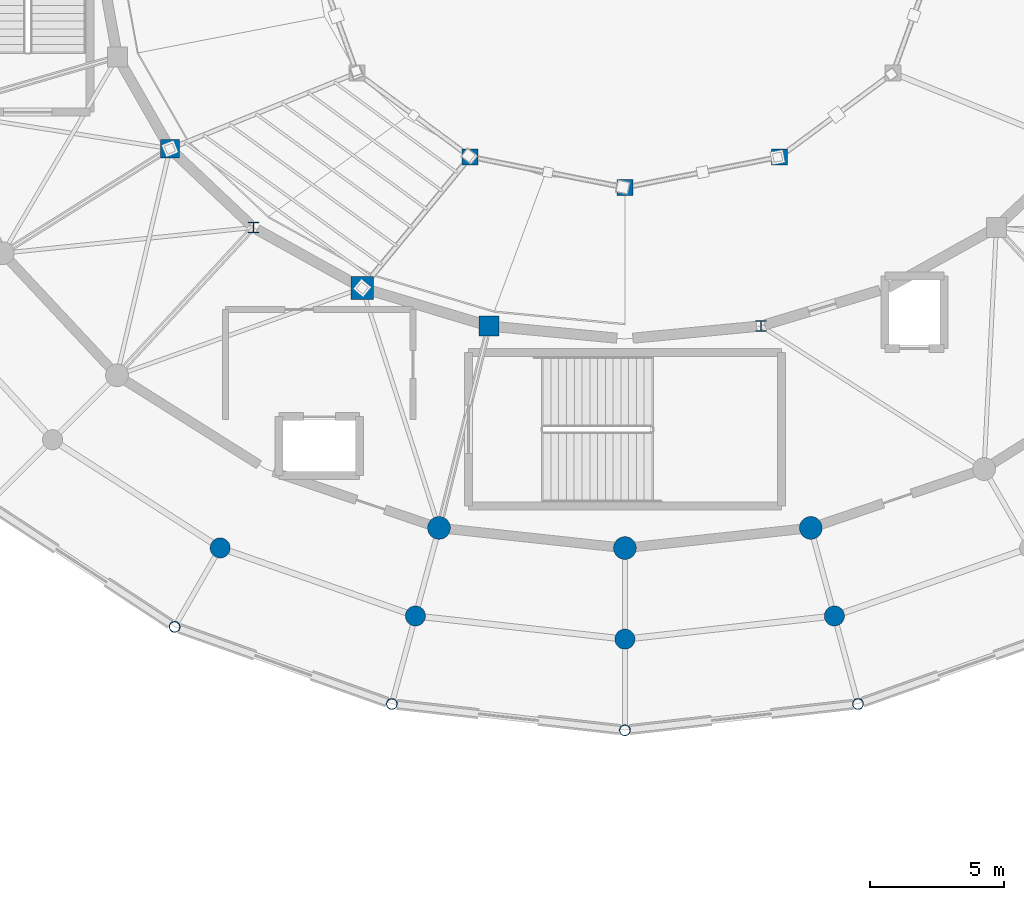
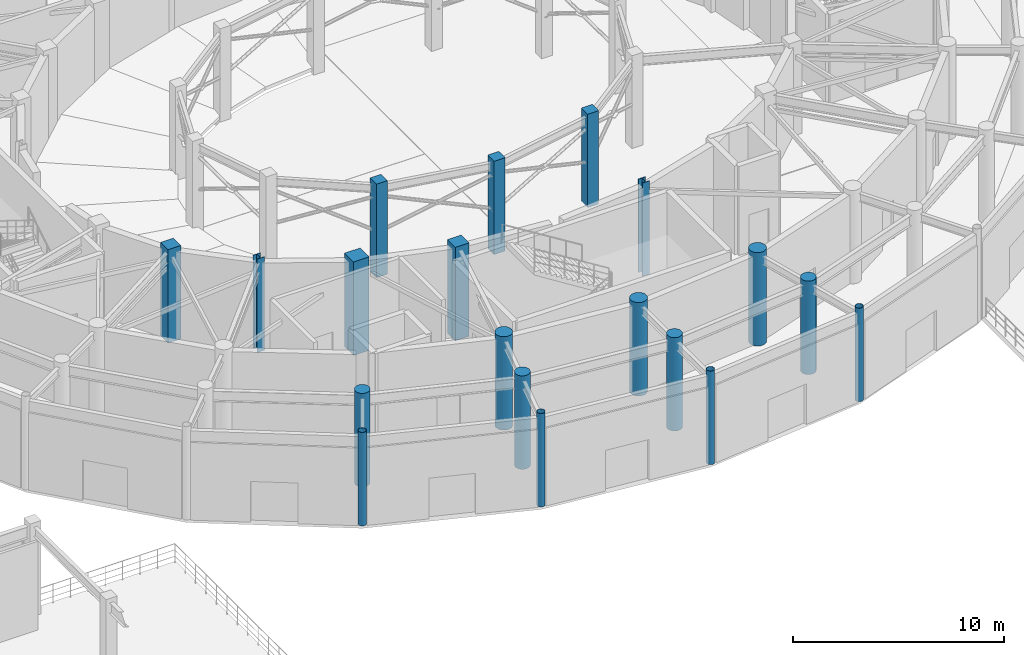
# One storey, part 6 of 93: 19 columns.
"""IFC4 building model written with IfcOpenShell, lengths in metres."""

from ifc_helpers import new_model, si_unit, direction, frame, origin, origin_2d, place, context, subcontext, project, spatial, rectangle, circle, hollow_circle, i_section, extrude, material, material_profile, profile_set, type_object, element, save


model = new_model("IFC4")

# Units and contexts
model_context = context("Model", 3, precision=1e-05, world=origin(), true_north=direction((0.0, 1.0)))
body_context = subcontext(model_context, "Body", "Model", "MODEL_VIEW")
ifc_project = project(units=[si_unit("LENGTHUNIT", "METRE"), si_unit("AREAUNIT", "SQUARE_METRE"), si_unit("VOLUMEUNIT", "CUBIC_METRE"), si_unit("PLANEANGLEUNIT", "RADIAN"), si_unit("MASSUNIT", "GRAM", prefix="KILO")], contexts=[model_context])

# Site, building, storey
site_placement = place(None, origin())
site = spatial("IfcSite", under=ifc_project, at=site_placement, CompositionType="ELEMENT")
building_placement = place(site_placement, origin())
building = spatial("IfcBuilding", under=site, at=building_placement, Name="Cinderbank Siding Concert Hall", CompositionType="ELEMENT")
storey_placement = place(building_placement, origin())
storey = spatial("IfcBuildingStorey", under=building, at=storey_placement, Name="L01", CompositionType="ELEMENT", Elevation=0.0)

# Columns
ifc_material_1 = material(Name="Structural steel hollow section AS/NZS 1163 Grade C350L0 (350 MPa)", Category="steel")
ifc_material_profile_1 = material_profile(ifc_material_1, hollow_circle(Radius=0.203125, WallThickness=0.01611328125, at=origin_2d()), Name="406.4x16.0CHS", Category="LoadBearing")
ifc_profile_set_1 = profile_set([ifc_material_profile_1], Name="Structural steel hollow section AS/NZS 1163 Grade C350L0 (350 MPa)")
column_type_1 = type_object("IfcColumnType", Name="C-CHS406 406.4x16.0CHS", PredefinedType="COLUMN", material=ifc_profile_set_1)
for number, where, z_axis, x_axis, name in (
    (1, (105.199951171875, 19.05810546875, 0.0), (0.0, 0.0, 1.0), (1.0, 0.0, 0.0), "L01 Column COL-E4-17"),
    (2, (113.303955078125, 16.180908203125, 0.0), (0.0, 0.0, 1.0), (1.0, 0.0, 0.0), "L01 Column COL-E4-18"),
    (3, (122.0, 15.199951171875, 0.0), (0.0, 0.0, 1.0), (1.0, 0.0, 0.0), "L01 Column COL-E4-19"),
    (4, (130.696044921875, 16.180908203125, 0.0), (0.0, 0.0, 1.0), (1.0, 0.0, 0.0), "L01 Column COL-E4-20"),
):
    element("IfcColumn", number, at=place(storey_placement, frame(where, z_axis=z_axis, x_axis=x_axis)), inside=storey, type_object=column_type_1, Name=name, PredefinedType="COLUMN", context=body_context, shape_type="SweptSolid", body=[
        extrude(hollow_circle(Radius=0.203125, WallThickness=0.01611328125, at=origin_2d()), origin(), (0.0, 0.0, 1.0), 5.39990234375),
    ])
ifc_material_2 = material(Name="Reinforced concrete AS 3600 N50 (50 MPa)", Category="concrete")
ifc_material_profile_2 = material_profile(ifc_material_2, rectangle(XDim=0.60009765625, YDim=0.60009765625, at=origin_2d()), Name="RC-COL-600x600", Category="LoadBearing")
ifc_profile_set_2 = profile_set([ifc_material_profile_2], Name="Reinforced concrete AS 3600 N50 (50 MPa)")
column_type_2 = type_object("IfcColumnType", Name="C-RC600 RC-COL-600x600", PredefinedType="COLUMN", material=ifc_profile_set_2)
for number, where, z_axis, x_axis, name in (
    (5, (116.22509765625, 36.595947265625, 0.0), (0.0, 0.0, 1.0), (1.0, 0.0, 0.0), "L01 Column COL-E0-17"),
    (6, (122.0, 35.449951171875, 0.0), (0.0, 0.0, 1.0), (1.0, 0.0, 0.0), "L01 Column COL-E0-19"),
    (7, (127.77490234375, 36.595947265625, 0.0), (0.0, 0.0, 1.0), (1.0, 0.0, 0.0), "L01 Column COL-E0-21"),
):
    element("IfcColumn", number, at=place(storey_placement, frame(where, z_axis=z_axis, x_axis=x_axis)), inside=storey, type_object=column_type_2, Name=name, PredefinedType="COLUMN", context=body_context, shape_type="SweptSolid", body=[
        extrude(rectangle(XDim=0.60009765625, YDim=0.60009765625, at=origin_2d()), origin(), (0.0, 0.0, 1.0), 5.39990234375),
    ])
ifc_material_profile_3 = material_profile(ifc_material_2, rectangle(XDim=0.699951171875, YDim=0.699951171875, at=origin_2d()), Name="RC-COL-700x700", Category="LoadBearing")
ifc_profile_set_3 = profile_set([ifc_material_profile_3], Name="Reinforced concrete AS 3600 N50 (50 MPa)")
column_type_3 = type_object("IfcColumnType", Name="C-RC700 RC-COL-700x700", PredefinedType="COLUMN", material=ifc_profile_set_3)
column_1_placement = place(storey_placement, frame((105.02587890625, 36.89990234375, 0.0), z_axis=(0.0, 0.0, 1.0), x_axis=(1.0, 0.0, 0.0)))
element("IfcColumn", 8, at=column_1_placement, inside=storey, type_object=column_type_3, Name="L01 Column COL-E1-15", PredefinedType="COLUMN", context=body_context, shape_type="SweptSolid", body=[
    extrude(rectangle(XDim=0.699951171875, YDim=0.699951171875, at=origin_2d()), origin(), (0.0, 0.0, 1.0), 5.39990234375),
])
ifc_material_profile_4 = material_profile(ifc_material_2, rectangle(XDim=0.75, YDim=0.75, at=origin_2d()), Name="RC-COL-750x750", Category="LoadBearing")
ifc_profile_set_4 = profile_set([ifc_material_profile_4], Name="Reinforced concrete AS 3600 N50 (50 MPa)")
column_type_4 = type_object("IfcColumnType", Name="C-RC750 RC-COL-750x750", PredefinedType="COLUMN", material=ifc_profile_set_4)
column_2_placement = place(storey_placement, frame((116.927001953125, 30.283935546875, 0.0), z_axis=(0.0, 0.0, 1.0), x_axis=(1.0, 0.0, 0.0)))
element("IfcColumn", 9, at=column_2_placement, inside=storey, type_object=column_type_4, Name="L01 Column COL-E1-18", PredefinedType="COLUMN", context=body_context, shape_type="SweptSolid", body=[
    extrude(rectangle(XDim=0.75, YDim=0.75, at=origin_2d()), origin(), (0.0, 0.0, 1.0), 5.39990234375),
])
ifc_material_profile_5 = material_profile(ifc_material_2, rectangle(XDim=0.85009765625, YDim=0.85009765625, at=origin_2d()), Name="RC-COL-850x850", Category="LoadBearing")
ifc_profile_set_5 = profile_set([ifc_material_profile_5], Name="Reinforced concrete AS 3600 N50 (50 MPa)")
column_type_5 = type_object("IfcColumnType", Name="C-RC850 RC-COL-850x850", PredefinedType="COLUMN", material=ifc_profile_set_5)
column_3_placement = place(storey_placement, frame((112.199951171875, 31.701904296875, 0.0), z_axis=(0.0, 0.0, 1.0), x_axis=(1.0, 0.0, 0.0)))
element("IfcColumn", 10, at=column_3_placement, inside=storey, type_object=column_type_5, Name="L01 Column COL-E1-17", PredefinedType="COLUMN", context=body_context, shape_type="SweptSolid", body=[
    extrude(rectangle(XDim=0.85009765625, YDim=0.85009765625, at=origin_2d()), origin(), (0.0, 0.0, 1.0), 5.39990234375),
])
ifc_material_profile_6 = material_profile(ifc_material_2, circle(Radius=0.375, at=origin_2d()), Name="RC-COL-750DIA", Category="LoadBearing")
ifc_profile_set_6 = profile_set([ifc_material_profile_6], Name="Reinforced concrete AS 3600 N50 (50 MPa)")
column_type_6 = type_object("IfcColumnType", Name="C-RCD750 RC-COL-750DIA", PredefinedType="COLUMN", material=ifc_profile_set_6)
for number, where, z_axis, x_axis, name in (
    (11, (106.89990234375, 22.0029296875, 0.0), (0.0, 0.0, 1.0), (1.0, 0.0, 0.0), "L01 Column COL-E3-17"),
    (12, (114.18408203125, 19.465087890625, 0.0), (0.0, 0.0, 1.0), (1.0, 0.0, 0.0), "L01 Column COL-E3-18"),
    (13, (122.0, 18.60009765625, 0.0), (0.0, 0.0, 1.0), (1.0, 0.0, 0.0), "L01 Column COL-E3-19"),
    (14, (129.81591796875, 19.465087890625, 0.0), (0.0, 0.0, 1.0), (1.0, 0.0, 0.0), "L01 Column COL-E3-20"),
):
    element("IfcColumn", number, at=place(storey_placement, frame(where, z_axis=z_axis, x_axis=x_axis)), inside=storey, type_object=column_type_6, Name=name, PredefinedType="COLUMN", context=body_context, shape_type="SweptSolid", body=[
        extrude(circle(Radius=0.375, at=origin_2d()), origin(), (0.0, 0.0, 1.0), 5.39990234375),
    ])
ifc_material_profile_7 = material_profile(ifc_material_2, circle(Radius=0.425048828125, at=origin_2d()), Name="RC-COL-850DIA", Category="LoadBearing")
ifc_profile_set_7 = profile_set([ifc_material_profile_7], Name="Reinforced concrete AS 3600 N50 (50 MPa)")
column_type_7 = type_object("IfcColumnType", Name="C-RCD850 RC-COL-850DIA", PredefinedType="COLUMN", material=ifc_profile_set_7)
for number, where, z_axis, x_axis, name in (
    (15, (115.06396484375, 22.75, 0.0), (0.0, 0.0, 1.0), (1.0, 0.0, 0.0), "L01 Column COL-E2-18"),
    (16, (122.0, 22.0, 0.0), (0.0, 0.0, 1.0), (1.0, 0.0, 0.0), "L01 Column COL-E2-19"),
    (17, (128.93603515625, 22.75, 0.0), (0.0, 0.0, 1.0), (1.0, 0.0, 0.0), "L01 Column COL-E2-20"),
):
    element("IfcColumn", number, at=place(storey_placement, frame(where, z_axis=z_axis, x_axis=x_axis)), inside=storey, type_object=column_type_7, Name=name, PredefinedType="COLUMN", context=body_context, shape_type="SweptSolid", body=[
        extrude(circle(Radius=0.425048828125, at=origin_2d()), origin(), (0.0, 0.0, 1.0), 5.39990234375),
    ])
ifc_material_3 = material(Name="Structural steel welded plate section AS/NZS 3679.2 / AS/NZS 3678 Grade 350 (340 MPa)", Category="steel")
ifc_material_profile_8 = material_profile(ifc_material_3, i_section(OverallWidth=0.39990234375, OverallDepth=0.39990234375, WebThickness=0.01611328125, FlangeThickness=0.02490234375, at=origin_2d()), Name="400WC212", Category="LoadBearing")
ifc_profile_set_8 = profile_set([ifc_material_profile_8], Name="Structural steel welded plate section AS/NZS 3679.2 / AS/NZS 3678 Grade 350 (340 MPa)")
column_type_8 = type_object("IfcColumnType", Name="C-WC400 400WC212", PredefinedType="COLUMN", material=ifc_profile_set_8)
for number, where, z_axis, x_axis, name in (
    (18, (108.14111328125, 33.958984375, 0.0), (0.0, 0.0, 1.0), (1.0, 0.0, 0.0), "L01 Column COL-E1-16"),
    (19, (127.072998046875, 30.283935546875, 0.0), (0.0, 0.0, 1.0), (1.0, 0.0, 0.0), "L01 Column COL-E1-20"),
):
    element("IfcColumn", number, at=place(storey_placement, frame(where, z_axis=z_axis, x_axis=x_axis)), inside=storey, type_object=column_type_8, Name=name, PredefinedType="COLUMN", context=body_context, shape_type="SweptSolid", body=[
        extrude(i_section(OverallWidth=0.39990234375, OverallDepth=0.39990234375, WebThickness=0.01611328125, FlangeThickness=0.02490234375, at=origin_2d()), origin(), (0.0, 0.0, 1.0), 5.39990234375),
    ])

save(model, "model.ifc")
